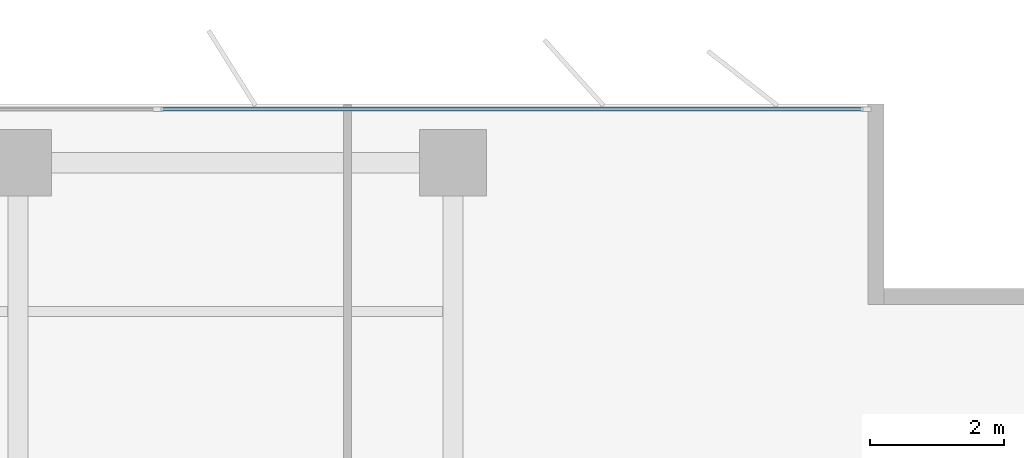
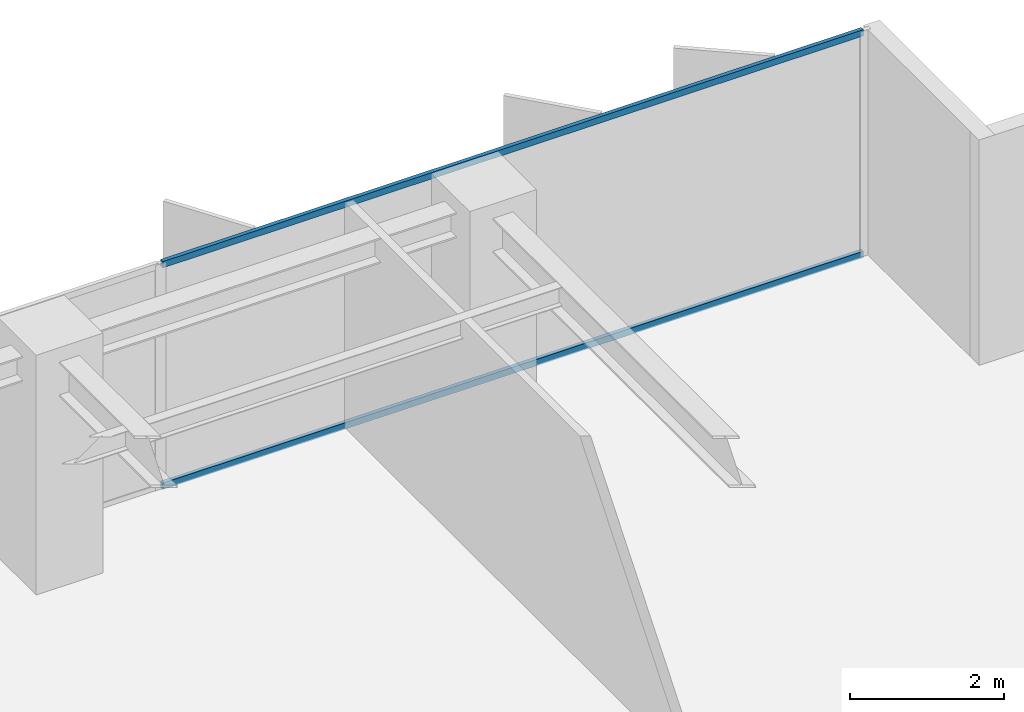
# One storey, part 11 of 22: 2 members, 1 element without a shape of its own.
"""IFC4 building model written with IfcOpenShell, lengths in metres."""

from ifc_helpers import new_model, si_unit, direction, frame, origin, origin_2d, place, context, subcontext, project, spatial, rectangle, extrude, material, layer, layer_set, material_profile, profile_set, type_object, element, aggregate, save


model = new_model("IFC4")

# Units and contexts
model_context = context("Model", 3, precision=1e-05, world=origin(), true_north=direction((0.0, 1.0)))
body_context = subcontext(model_context, "Body", "Model", "MODEL_VIEW")
ifc_project = project(units=[si_unit("LENGTHUNIT", "METRE"), si_unit("AREAUNIT", "SQUARE_METRE"), si_unit("VOLUMEUNIT", "CUBIC_METRE"), si_unit("PLANEANGLEUNIT", "RADIAN"), si_unit("MASSUNIT", "GRAM", prefix="KILO")], contexts=[model_context])

# Site, building, storey
site_placement = place(None, origin())
site = spatial("IfcSite", under=ifc_project, at=site_placement, CompositionType="ELEMENT")
building_placement = place(site_placement, origin())
building = spatial("IfcBuilding", under=site, at=building_placement, Name="Putna Gate Headquarters", CompositionType="ELEMENT")
storey_placement = place(building_placement, frame((0.0, 0.0, 159.39990234375)))
storey = spatial("IfcBuildingStorey", under=building, at=storey_placement, Name="L39", CompositionType="ELEMENT", Elevation=159.39990234375)

# Curtain wall, members
ifc_material_1 = material(Name="Anodised bronze aluminium curtain wall", Category="aluminium")
ifc_layer = layer(ifc_material_1, 0.159912109375)
ifc_layer_set = layer_set([ifc_layer], Name="Anodised bronze aluminium curtain wall")
curtain_wall_type = type_object("IfcCurtainWallType", Name="CW-SYS-Z3", PredefinedType="USERDEFINED", material=ifc_layer_set)
curtain_wall_placement = place(storey_placement, origin())
curtain_wall = element("IfcCurtainWall", 1, at=curtain_wall_placement, inside=storey, type_object=curtain_wall_type, Name="L39 North East Curtain Wall", ObjectType="STICK CURTAIN WALL", PredefinedType="USERDEFINED")
ifc_material_2 = material(Name="Anodised bronze aluminium EN AW-6060", Category="aluminium")
ifc_material_profile = material_profile(ifc_material_2, rectangle(XDim=0.06005859375, YDim=0.10009765625, at=origin_2d()), Name="Anodised bronze aluminium EN AW-6060")
ifc_profile_set = profile_set([ifc_material_profile], Name="Anodised bronze aluminium EN AW-6060")
member_type = type_object("IfcMemberType", Name="TRAN-CWT-3", PredefinedType="USERDEFINED", material=ifc_profile_set)
member_1_placement = place(storey_placement, frame((60.632568359375, 48.52001953125, 0.030029296875), z_axis=(1.0, 0.0, 0.0), x_axis=(0.0, 1.0, 0.0)))
member_1 = element("IfcMember", 2, at=member_1_placement, type_object=member_type, Name="CWS-3 transom 2.1", ObjectType="TRANSOM", PredefinedType="USERDEFINED", context=body_context, shape_type="SweptSolid", body=[
    extrude(rectangle(XDim=0.06005859375, YDim=0.10009765625, at=origin_2d()), origin(), (0.0, 0.0, 1.0), 10.50244140625),
])
member_2_placement = place(storey_placement, frame((60.632568359375, 48.52001953125, 3.5419921875), z_axis=(1.0, 0.0, 0.0), x_axis=(0.0, 1.0, 0.0)))
member_2 = element("IfcMember", 3, at=member_2_placement, type_object=member_type, Name="CWS-3 transom 2.2", ObjectType="TRANSOM", PredefinedType="USERDEFINED", context=body_context, shape_type="SweptSolid", body=[
    extrude(rectangle(XDim=0.06005859375, YDim=0.10009765625, at=origin_2d()), origin(), (0.0, 0.0, 1.0), 10.50244140625),
])
aggregate(curtain_wall, [member_1, member_2])

save(model, "model.ifc")
